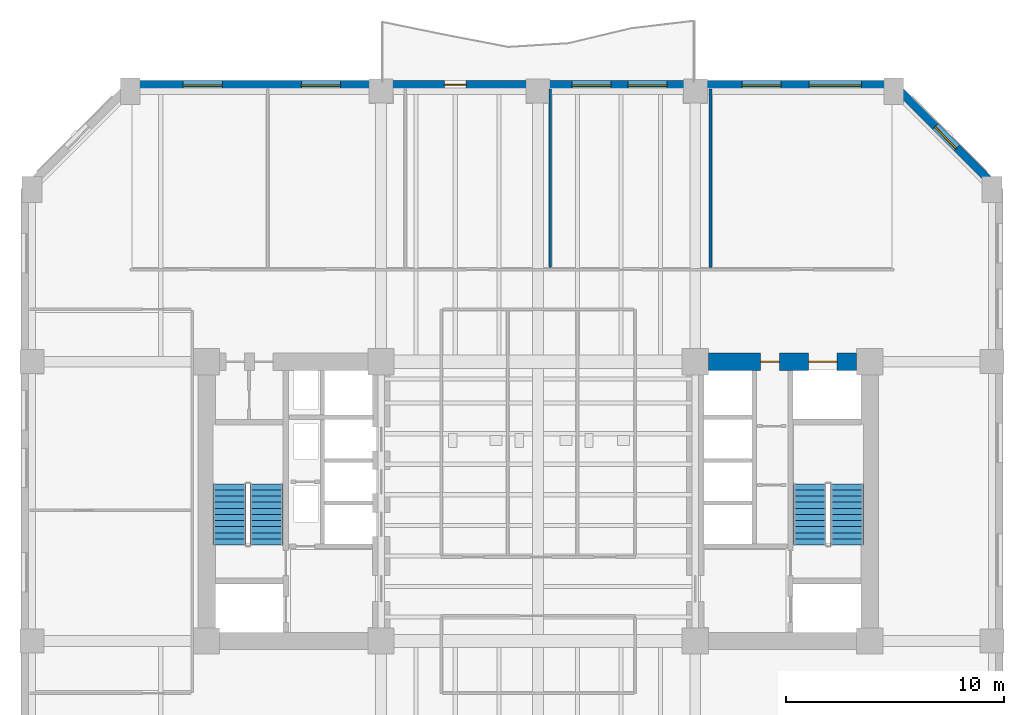
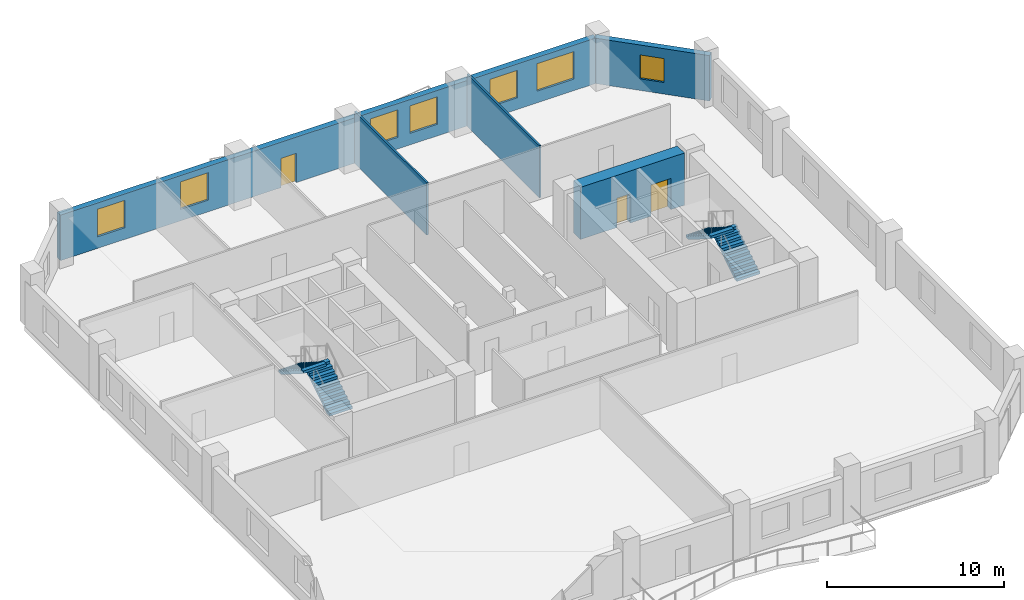
# One storey, part 5 of 10: 7 windows, 5 walls, 4 stair flights, 3 doors, 10 openings, 2 elements without a shape of their own.
"""IFC4 building model written with IfcOpenShell, lengths in metres."""

from ifc_helpers import new_model, si_unit, direction, frame, frame_2d, origin, place, context, subcontext, project, spatial, polyline, rectangle, outline, extrude, material, layer, layer_set, type_object, element, fill, aggregate, save


model = new_model("IFC4")

# Units and contexts
model_context = context("Model", 3, precision=1e-05, world=origin(), true_north=direction((0.0, 1.0)))
body_context = subcontext(model_context, "Body", "Model", "MODEL_VIEW")
ifc_project = project(units=[si_unit("LENGTHUNIT", "METRE"), si_unit("AREAUNIT", "SQUARE_METRE"), si_unit("VOLUMEUNIT", "CUBIC_METRE"), si_unit("PLANEANGLEUNIT", "RADIAN"), si_unit("MASSUNIT", "GRAM", prefix="KILO")], contexts=[model_context])

# Site, building, storey
site_placement = place(None, origin())
site = spatial("IfcSite", under=ifc_project, at=site_placement, CompositionType="ELEMENT")
building_placement = place(site_placement, origin())
building = spatial("IfcBuilding", under=site, at=building_placement, Name="Kranthara Brick Stack", CompositionType="ELEMENT")
storey_placement = place(building_placement, frame((0.0, 0.0, 32.10009765625)))
storey = spatial("IfcBuildingStorey", under=building, at=storey_placement, Name="L07", CompositionType="ELEMENT", Elevation=32.10009765625)

# Wall, openings, door, windows
ifc_material_1 = material(Name="Kiln-fired clay brick masonry M15", Category="masonry")
ifc_layer_1 = layer(ifc_material_1, 0.3798828125)
ifc_layer_set_1 = layer_set([ifc_layer_1], Name="Kiln-fired clay brick masonry M15")
wall_type_1 = type_object("IfcWallType", Name="WL-BRK-PIER-380", PredefinedType="STANDARD", material=ifc_layer_set_1)
wall_1_placement = place(storey_placement, frame((9.300048828125, 46.2900390625, 0.0), z_axis=(0.0, 0.0, 1.0), x_axis=(1.0, 0.0, 0.0)))
wall_1 = element("IfcWall", 1, at=wall_1_placement, inside=storey, type_object=wall_type_1, Name="L07 Exterior Brick Facade Wall NORTH 1", PredefinedType="STANDARD", context=body_context, shape_type="SweptSolid", body=[
    extrude(rectangle(XDim=35.0, YDim=0.3798828125, at=frame_2d((17.5, 0.0))), origin(), (0.0, 0.0, 1.0), 3.135009765625),
])
opening_1_placement = place(wall_1_placement, frame((14.39990234375, 0.0, 0.0)))
opening_1 = element("IfcOpeningElement", 2, at=opening_1_placement, cuts=wall_1, Name="Opening D03", PredefinedType="OPENING", context=body_context, shape_type="SweptSolid", body=[
    extrude(rectangle(XDim=1.0, YDim=2.02001953125, at=frame_2d((0.5, 1.010009765625))), frame((0.0, 0.199951171875, 0.0), z_axis=(0.0, -1.0, 0.0), x_axis=(1.0, 0.0, 0.0)), (0.0, 0.0, 1.0), 0.39990234375),
])
opening_2_placement = place(wall_1_placement, frame((2.425048828125, 0.0, 0.800048828125)))
opening_2 = element("IfcOpeningElement", 3, at=opening_2_placement, cuts=wall_1, Name="Opening WN01", PredefinedType="OPENING", context=body_context, shape_type="SweptSolid", body=[
    extrude(rectangle(XDim=1.800048828125, YDim=1.89990234375, at=frame_2d((0.89990234375, 0.949951171875))), frame((0.0, 0.199951171875, 0.0), z_axis=(0.0, -1.0, 0.0), x_axis=(1.0, 0.0, 0.0)), (0.0, 0.0, 1.0), 0.39990234375),
])
opening_3_placement = place(wall_1_placement, frame((7.85009765625, 0.0, 0.800048828125)))
opening_3 = element("IfcOpeningElement", 4, at=opening_3_placement, cuts=wall_1, Name="Opening WN01", PredefinedType="OPENING", context=body_context, shape_type="SweptSolid", body=[
    extrude(rectangle(XDim=1.800048828125, YDim=1.89990234375, at=frame_2d((0.89990234375, 0.949951171875))), frame((0.0, 0.199951171875, 0.0), z_axis=(0.0, -1.0, 0.0), x_axis=(1.0, 0.0, 0.0)), (0.0, 0.0, 1.0), 0.39990234375),
])
opening_4_placement = place(wall_1_placement, frame((20.240966796875, 0.0, 0.800048828125)))
opening_4 = element("IfcOpeningElement", 5, at=opening_4_placement, cuts=wall_1, Name="Opening WN01", PredefinedType="OPENING", context=body_context, shape_type="SweptSolid", body=[
    extrude(rectangle(XDim=1.800048828125, YDim=1.89990234375, at=frame_2d((0.89990234375, 0.949951171875))), frame((0.0, 0.199951171875, 0.0), z_axis=(0.0, -1.0, 0.0), x_axis=(1.0, 0.0, 0.0)), (0.0, 0.0, 1.0), 0.39990234375),
])
opening_5_placement = place(wall_1_placement, frame((22.80908203125, 0.0, 0.800048828125)))
opening_5 = element("IfcOpeningElement", 6, at=opening_5_placement, cuts=wall_1, Name="Opening WN01", PredefinedType="OPENING", context=body_context, shape_type="SweptSolid", body=[
    extrude(rectangle(XDim=1.800048828125, YDim=1.89990234375, at=frame_2d((0.89990234375, 0.949951171875))), frame((0.0, 0.199951171875, 0.0), z_axis=(0.0, -1.0, 0.0), x_axis=(1.0, 0.0, 0.0)), (0.0, 0.0, 1.0), 0.39990234375),
])
opening_6_placement = place(wall_1_placement, frame((28.032958984375, 0.0, 0.800048828125)))
opening_6 = element("IfcOpeningElement", 7, at=opening_6_placement, cuts=wall_1, Name="Opening WN01", PredefinedType="OPENING", context=body_context, shape_type="SweptSolid", body=[
    extrude(rectangle(XDim=1.800048828125, YDim=1.89990234375, at=frame_2d((0.89990234375, 0.949951171875))), frame((0.0, 0.199951171875, 0.0), z_axis=(0.0, -1.0, 0.0), x_axis=(1.0, 0.0, 0.0)), (0.0, 0.0, 1.0), 0.39990234375),
])
opening_7_placement = place(wall_1_placement, frame((31.116943359375, 0.0, 0.800048828125)))
opening_7 = element("IfcOpeningElement", 8, at=opening_7_placement, cuts=wall_1, Name="Opening WN02", PredefinedType="OPENING", context=body_context, shape_type="SweptSolid", body=[
    extrude(rectangle(XDim=2.39990234375, YDim=1.89990234375, at=frame_2d((1.199951171875, 0.949951171875))), frame((0.0, 0.199951171875, 0.0), z_axis=(0.0, -1.0, 0.0), x_axis=(1.0, 0.0, 0.0)), (0.0, 0.0, 1.0), 0.39990234375),
])
ifc_material_2 = material(Name="Bronze anodised aluminium and laminated glass", Category="aluminium")
door_type_1 = type_object("IfcDoorType", Name="DR-BALC-1000", OperationType="NOTDEFINED", PredefinedType="DOOR", material=ifc_material_2)
door_1_placement = place(opening_1_placement, origin())
door_1 = element("IfcDoor", 9, at=door_1_placement, inside=storey, type_object=door_type_1, Name="L07 North Balcony Terrace Door", OperationType="SINGLE_SWING_RIGHT", OverallHeight=2.02001953125, OverallWidth=1.0, PredefinedType="DOOR", context=body_context, shape_type="SweptSolid", body=[
    extrude(rectangle(XDim=1.0, YDim=2.02001953125, at=frame_2d((0.5, 1.010009765625))), frame((0.0, 0.02490234375, 0.0), z_axis=(0.0, -1.0, 0.0), x_axis=(1.0, 0.0, 0.0)), (0.0, 0.0, 1.0), 0.050048828125),
])
fill(opening_1, door_1)
ifc_material_3 = material(Name="Double-glazed low-E solar control glass", Category="glass")
window_type_1 = type_object("IfcWindowType", Name="WN-OFF-1800x2000", PartitioningType="SINGLE_PANEL", PredefinedType="WINDOW", material=ifc_material_3)
window_1_placement = place(opening_2_placement, origin())
window_1 = element("IfcWindow", 10, at=window_1_placement, inside=storey, type_object=window_type_1, Name="L07 North Deep-Set Brick Window 01", OverallHeight=1.89990234375, OverallWidth=1.800048828125, PartitioningType="SINGLE_PANEL", PredefinedType="WINDOW", context=body_context, shape_type="SweptSolid", body=[
    extrude(rectangle(XDim=1.800048828125, YDim=1.89990234375, at=frame_2d((0.89990234375, 0.949951171875))), frame((0.0, -0.010009765625, 0.0), z_axis=(0.0, -1.0, 0.0), x_axis=(1.0, 0.0, 0.0)), (0.0, 0.0, 1.0), 0.06005859375),
])
fill(opening_2, window_1)
window_2_placement = place(opening_3_placement, origin())
window_2 = element("IfcWindow", 11, at=window_2_placement, inside=storey, type_object=window_type_1, Name="L07 North Deep-Set Brick Window 02", OverallHeight=1.89990234375, OverallWidth=1.800048828125, PartitioningType="SINGLE_PANEL", PredefinedType="WINDOW", context=body_context, shape_type="SweptSolid", body=[
    extrude(rectangle(XDim=1.800048828125, YDim=1.89990234375, at=frame_2d((0.89990234375, 0.949951171875))), frame((0.0, -0.010009765625, 0.0), z_axis=(0.0, -1.0, 0.0), x_axis=(1.0, 0.0, 0.0)), (0.0, 0.0, 1.0), 0.06005859375),
])
fill(opening_3, window_2)
window_3_placement = place(opening_4_placement, origin())
window_3 = element("IfcWindow", 12, at=window_3_placement, inside=storey, type_object=window_type_1, Name="L07 North Deep-Set Brick Window 03", OverallHeight=1.89990234375, OverallWidth=1.800048828125, PartitioningType="SINGLE_PANEL", PredefinedType="WINDOW", context=body_context, shape_type="SweptSolid", body=[
    extrude(rectangle(XDim=1.800048828125, YDim=1.89990234375, at=frame_2d((0.89990234375, 0.949951171875))), frame((0.0, -0.010009765625, 0.0), z_axis=(0.0, -1.0, 0.0), x_axis=(1.0, 0.0, 0.0)), (0.0, 0.0, 1.0), 0.06005859375),
])
fill(opening_4, window_3)
window_4_placement = place(opening_5_placement, origin())
window_4 = element("IfcWindow", 13, at=window_4_placement, inside=storey, type_object=window_type_1, Name="L07 North Deep-Set Brick Window 04", OverallHeight=1.89990234375, OverallWidth=1.800048828125, PartitioningType="SINGLE_PANEL", PredefinedType="WINDOW", context=body_context, shape_type="SweptSolid", body=[
    extrude(rectangle(XDim=1.800048828125, YDim=1.89990234375, at=frame_2d((0.89990234375, 0.949951171875))), frame((0.0, -0.010009765625, 0.0), z_axis=(0.0, -1.0, 0.0), x_axis=(1.0, 0.0, 0.0)), (0.0, 0.0, 1.0), 0.06005859375),
])
fill(opening_5, window_4)
window_5_placement = place(opening_6_placement, origin())
window_5 = element("IfcWindow", 14, at=window_5_placement, inside=storey, type_object=window_type_1, Name="L07 North Deep-Set Brick Window 05", OverallHeight=1.89990234375, OverallWidth=1.800048828125, PartitioningType="SINGLE_PANEL", PredefinedType="WINDOW", context=body_context, shape_type="SweptSolid", body=[
    extrude(rectangle(XDim=1.800048828125, YDim=1.89990234375, at=frame_2d((0.89990234375, 0.949951171875))), frame((0.0, -0.010009765625, 0.0), z_axis=(0.0, -1.0, 0.0), x_axis=(1.0, 0.0, 0.0)), (0.0, 0.0, 1.0), 0.06005859375),
])
fill(opening_6, window_5)
ifc_material_4 = material(Name="Double-glazed low-E solar control glass", Category="glass")
window_type_2 = type_object("IfcWindowType", Name="WN-OFF-2400x2000", PartitioningType="DOUBLE_PANEL_VERTICAL", PredefinedType="WINDOW", material=ifc_material_4)
window_6_placement = place(opening_7_placement, origin())
window_6 = element("IfcWindow", 15, at=window_6_placement, inside=storey, type_object=window_type_2, Name="L07 North Deep-Set Brick Window 06", OverallHeight=1.89990234375, OverallWidth=2.39990234375, PartitioningType="SINGLE_PANEL", PredefinedType="WINDOW", context=body_context, shape_type="SweptSolid", body=[
    extrude(rectangle(XDim=2.39990234375, YDim=1.89990234375, at=frame_2d((1.199951171875, 0.949951171875))), frame((0.0, -0.010009765625, 0.0), z_axis=(0.0, -1.0, 0.0), x_axis=(1.0, 0.0, 0.0)), (0.0, 0.0, 1.0), 0.06005859375),
])
fill(opening_7, window_6)

# Wall, opening, window
wall_2_placement = place(storey_placement, frame((44.300048828125, 46.2900390625, 0.0), z_axis=(0.0, 0.0, 1.0), x_axis=(0.707106781187, -0.707106781187, 0.0)))
wall_2 = element("IfcWall", 16, at=wall_2_placement, inside=storey, type_object=wall_type_1, Name="L07 Exterior Brick Facade Wall NE 1", PredefinedType="STANDARD", context=body_context, shape_type="SweptSolid", body=[
    extrude(rectangle(XDim=6.774169921875, YDim=0.3798828125, at=frame_2d((3.38720703125, 0.0))), origin(), (0.0, 0.0, 1.0), 3.135009765625),
])
opening_8_placement = place(wall_2_placement, frame((2.68701171875, 0.0, 0.800048828125)))
opening_8 = element("IfcOpeningElement", 17, at=opening_8_placement, cuts=wall_2, Name="Opening WN10", PredefinedType="OPENING", context=body_context, shape_type="SweptSolid", body=[
    extrude(rectangle(XDim=1.39990234375, YDim=1.64990234375, at=frame_2d((0.699951171875, 0.824951171875))), frame((0.0, 0.199951171875, 0.0), z_axis=(0.0, -1.0, 0.0), x_axis=(1.0, 0.0, 0.0)), (0.0, 0.0, 1.0), 0.39990234375),
])
ifc_material_5 = material(Name="Double-glazed low-E solar control glass", Category="glass")
window_type_3 = type_object("IfcWindowType", Name="WN-CHM-1400x1750", PartitioningType="SINGLE_PANEL", PredefinedType="WINDOW", material=ifc_material_5)
window_7_placement = place(opening_8_placement, origin())
window_7 = element("IfcWindow", 18, at=window_7_placement, inside=storey, type_object=window_type_3, Name="L07 NE Chamfer Corner Window", OverallHeight=1.64990234375, OverallWidth=1.39990234375, PartitioningType="SINGLE_PANEL", PredefinedType="WINDOW", context=body_context, shape_type="SweptSolid", body=[
    extrude(rectangle(XDim=1.39990234375, YDim=1.64990234375, at=frame_2d((0.699951171875, 0.824951171875))), frame((0.0, -0.010009765625, 0.0), z_axis=(0.0, -1.0, 0.0), x_axis=(1.0, 0.0, 0.0)), (0.0, 0.0, 1.0), 0.06005859375),
])
fill(opening_8, window_7)

# Wall, openings, doors
ifc_material_6 = material(Name="Concrete C70/85", Category="concrete")
ifc_layer_2 = layer(ifc_material_6, 0.800048828125)
ifc_layer_set_2 = layer_set([ifc_layer_2], Name="Concrete C70/85")
wall_type_2 = type_object("IfcWallType", Name="WL-CORE-800", PredefinedType="SHEAR", material=ifc_layer_set_2)
wall_3_placement = place(storey_placement, frame((35.804931640625, 33.60009765625, 0.0), z_axis=(0.0, 0.0, 1.0), x_axis=(1.0, 0.0, 0.0)))
wall_3 = element("IfcWall", 19, at=wall_3_placement, inside=storey, type_object=wall_type_2, Name="L07 East Core Shear Wall North", PredefinedType="SHEAR", context=body_context, shape_type="SweptSolid", body=[
    extrude(rectangle(XDim=6.7900390625, YDim=0.800048828125, at=frame_2d((3.39501953125, 0.0))), origin(), (0.0, 0.0, 1.0), 3.599853515625),
])
opening_9_placement = place(wall_3_placement, frame((4.594970703125, 0.0, 0.0)))
opening_9 = element("IfcOpeningElement", 20, at=opening_9_placement, cuts=wall_3, Name="Opening LD03", PredefinedType="OPENING", context=body_context, shape_type="SweptSolid", body=[
    extrude(rectangle(XDim=1.300048828125, YDim=2.14990234375, at=frame_2d((0.64990234375, 1.074951171875))), frame((0.0, 0.409912109375, 0.0), z_axis=(0.0, -1.0, 0.0), x_axis=(1.0, 0.0, 0.0)), (0.0, 0.0, 1.0), 0.820068359375),
])
opening_10_placement = place(wall_3_placement, frame((2.39501953125, 0.0, 0.0)))
opening_10 = element("IfcOpeningElement", 21, at=opening_10_placement, cuts=wall_3, Name="Opening D10", PredefinedType="OPENING", context=body_context, shape_type="SweptSolid", body=[
    extrude(rectangle(XDim=0.85009765625, YDim=2.02001953125, at=frame_2d((0.425048828125, 1.010009765625))), frame((0.0, 0.409912109375, 0.0), z_axis=(0.0, -1.0, 0.0), x_axis=(1.0, 0.0, 0.0)), (0.0, 0.0, 1.0), 0.820068359375),
])
ifc_material_7 = material(Name="Stainless steel sliding landing door", Category="steel")
door_type_2 = type_object("IfcDoorType", Name="DR-LD-SV1300", OperationType="DOUBLE_DOOR_SLIDING", PredefinedType="DOOR", material=ifc_material_7)
door_2_placement = place(opening_9_placement, origin())
door_2 = element("IfcDoor", 22, at=door_2_placement, inside=storey, type_object=door_type_2, Name="L07 Stretcher Service Lift SV-01 Landing Door", OperationType="DOUBLE_DOOR_SLIDING", OverallHeight=2.14990234375, OverallWidth=1.300048828125, PredefinedType="DOOR", context=body_context, shape_type="SweptSolid", body=[
    extrude(rectangle(XDim=1.300048828125, YDim=2.14990234375, at=frame_2d((0.64990234375, 1.074951171875))), frame((0.0, 0.02490234375, 0.0), z_axis=(0.0, -1.0, 0.0), x_axis=(1.0, 0.0, 0.0)), (0.0, 0.0, 1.0), 0.050048828125),
])
fill(opening_9, door_2)
ifc_material_8 = material(Name="Solid-core hardwood timber leaf in steel frame", Category="steel")
door_type_3 = type_object("IfcDoorType", Name="DR-RSR-850", OperationType="NOTDEFINED", PredefinedType="DOOR", material=ifc_material_8)
door_3_placement = place(opening_10_placement, origin())
door_3 = element("IfcDoor", 23, at=door_3_placement, inside=storey, type_object=door_type_3, Name="L07 East Core Service Room Door", OperationType="SINGLE_SWING_LEFT", OverallHeight=2.02001953125, OverallWidth=0.85009765625, PredefinedType="DOOR", context=body_context, shape_type="SweptSolid", body=[
    extrude(rectangle(XDim=0.85009765625, YDim=2.02001953125, at=frame_2d((0.425048828125, 1.010009765625))), frame((0.0, 0.02490234375, 0.0), z_axis=(0.0, -1.0, 0.0), x_axis=(1.0, 0.0, 0.0)), (0.0, 0.0, 1.0), 0.050048828125),
])
fill(opening_10, door_3)

# Walls
ifc_material_9 = material(Name="Acoustic gypsum plasterboard partition", Category="other")
ifc_layer_3 = layer(ifc_material_9, 0.1201171875)
ifc_layer_set_3 = layer_set([ifc_layer_3], Name="Acoustic gypsum plasterboard partition")
wall_type_3 = type_object("IfcWallType", Name="WL-PART-120", PredefinedType="PARTITIONING", material=ifc_layer_set_3)
for number, where, z_axis, x_axis, name in (
    (24, (28.550048828125, 37.919921875, 0.0), (0.0, 0.0, 1.0), (0.0, 1.0, 0.0), "L07 Interior Partition 020"),
    (25, (35.89990234375, 37.919921875, 0.0), (0.0, 0.0, 1.0), (0.0, 1.0, 0.0), "L07 Interior Partition 021"),
):
    element("IfcWall", number, at=place(storey_placement, frame(where, z_axis=z_axis, x_axis=x_axis)), inside=storey, type_object=wall_type_3, Name=name, PredefinedType="PARTITIONING", context=body_context, shape_type="SweptSolid", body=[
        extrude(rectangle(XDim=8.175048828125, YDim=0.1201171875, at=frame_2d((4.08740234375, 0.0))), origin(), (0.0, 0.0, 1.0), 3.599853515625),
    ])

# Stair, stair flights
ifc_material_10 = material(Name="Concrete C45/55", Category="concrete")
stair_type = type_object("IfcStairType", Name="ST-CORE-22R", PredefinedType="HALF_TURN_STAIR", material=ifc_material_10)
stair_1_placement = place(storey_placement, origin())
stair_1 = element("IfcStair", 26, at=stair_1_placement, inside=storey, type_object=stair_type, Name="L07 West Core Protected Exit Stair ST01", PredefinedType="HALF_TURN_STAIR")
ifc_material_11 = material(Name="Concrete C45/55", Category="concrete")
stair_flight_type = type_object("IfcStairFlightType", Name="SFL-RC-22R", PredefinedType="STRAIGHT", material=ifc_material_11)
stair_flight_1_placement = place(storey_placement, frame((15.550048828125, 25.199951171875, 0.0), z_axis=(0.0, 0.0, 1.0), x_axis=(0.0, 1.0, 0.0)))
stair_flight_1 = element("IfcStairFlight", 27, at=stair_flight_1_placement, type_object=stair_flight_type, Name="ST01 flight 1", NumberOfRisers=11, NumberOfTreads=10, PredefinedType="STRAIGHT", RiserHeight=0.177272727, TreadLength=0.28, context=body_context, shape_type="SweptSolid", body=[
    extrude(outline(polyline([(0.0, 0.0), (0.0, 0.17724609375), (0.280029296875, 0.17724609375), (0.280029296875, 0.3544921875), (0.56005859375, 0.3544921875), (0.56005859375, 0.53173828125), (0.840087890625, 0.53173828125), (0.840087890625, 0.708984375), (1.1201171875, 0.708984375), (1.1201171875, 0.886474609375), (1.39990234375, 0.886474609375), (1.39990234375, 1.063720703125), (1.679931640625, 1.063720703125), (1.679931640625, 1.240966796875), (1.9599609375, 1.240966796875), (1.9599609375, 1.418212890625), (2.239990234375, 1.418212890625), (2.239990234375, 1.595458984375), (2.52001953125, 1.595458984375), (2.52001953125, 1.772705078125), (2.800048828125, 1.772705078125), (2.800048828125, 1.949951171875), (2.800048828125, 1.59521484375), (0.2802734375, 0.0), (0.0, 0.0)])), frame((0.0, 0.75, 0.0), z_axis=(0.0, -1.0, 0.0), x_axis=(1.0, 0.0, 0.0)), (0.0, 0.0, 1.0), 1.5),
])
stair_flight_2_placement = place(storey_placement, frame((13.85009765625, 28.0, 1.949951171875), z_axis=(0.0, 0.0, 1.0), x_axis=(0.0, -1.0, 0.0)))
stair_flight_2 = element("IfcStairFlight", 28, at=stair_flight_2_placement, type_object=stair_flight_type, Name="ST01 flight 2", NumberOfRisers=11, NumberOfTreads=10, PredefinedType="STRAIGHT", RiserHeight=0.177272727, TreadLength=0.28, context=body_context, shape_type="SweptSolid", body=[
    extrude(outline(polyline([(0.0, 0.0), (0.0, 0.17724609375), (0.280029296875, 0.17724609375), (0.280029296875, 0.3544921875), (0.56005859375, 0.3544921875), (0.56005859375, 0.53173828125), (0.840087890625, 0.53173828125), (0.840087890625, 0.708984375), (1.1201171875, 0.708984375), (1.1201171875, 0.886474609375), (1.39990234375, 0.886474609375), (1.39990234375, 1.063720703125), (1.679931640625, 1.063720703125), (1.679931640625, 1.240966796875), (1.9599609375, 1.240966796875), (1.9599609375, 1.418212890625), (2.239990234375, 1.418212890625), (2.239990234375, 1.595458984375), (2.52001953125, 1.595458984375), (2.52001953125, 1.772705078125), (2.800048828125, 1.772705078125), (2.800048828125, 1.949951171875), (2.800048828125, 1.59521484375), (0.2802734375, 0.0), (0.0, 0.0)])), frame((0.0, 0.75, 0.0), z_axis=(0.0, -1.0, 0.0), x_axis=(1.0, 0.0, 0.0)), (0.0, 0.0, 1.0), 1.5),
])
aggregate(stair_1, [stair_flight_1, stair_flight_2])

stair_2_placement = place(storey_placement, origin())
stair_2 = element("IfcStair", 29, at=stair_2_placement, inside=storey, type_object=stair_type, Name="L07 East Core Protected Exit Stair ST02", PredefinedType="HALF_TURN_STAIR")
stair_flight_3_placement = place(storey_placement, frame((42.14990234375, 25.199951171875, 0.0), z_axis=(0.0, 0.0, 1.0), x_axis=(0.0, 1.0, 0.0)))
stair_flight_3 = element("IfcStairFlight", 30, at=stair_flight_3_placement, type_object=stair_flight_type, Name="ST02 flight 1", NumberOfRisers=11, NumberOfTreads=10, PredefinedType="STRAIGHT", RiserHeight=0.177272727, TreadLength=0.28, context=body_context, shape_type="SweptSolid", body=[
    extrude(outline(polyline([(0.0, 0.0), (0.0, 0.17724609375), (0.280029296875, 0.17724609375), (0.280029296875, 0.3544921875), (0.56005859375, 0.3544921875), (0.56005859375, 0.53173828125), (0.840087890625, 0.53173828125), (0.840087890625, 0.708984375), (1.1201171875, 0.708984375), (1.1201171875, 0.886474609375), (1.39990234375, 0.886474609375), (1.39990234375, 1.063720703125), (1.679931640625, 1.063720703125), (1.679931640625, 1.240966796875), (1.9599609375, 1.240966796875), (1.9599609375, 1.418212890625), (2.239990234375, 1.418212890625), (2.239990234375, 1.595458984375), (2.52001953125, 1.595458984375), (2.52001953125, 1.772705078125), (2.800048828125, 1.772705078125), (2.800048828125, 1.949951171875), (2.800048828125, 1.59521484375), (0.2802734375, 0.0), (0.0, 0.0)])), frame((0.0, 0.75, 0.0), z_axis=(0.0, -1.0, 0.0), x_axis=(1.0, 0.0, 0.0)), (0.0, 0.0, 1.0), 1.5),
])
stair_flight_4_placement = place(storey_placement, frame((40.449951171875, 28.0, 1.949951171875), z_axis=(0.0, 0.0, 1.0), x_axis=(0.0, -1.0, 0.0)))
stair_flight_4 = element("IfcStairFlight", 31, at=stair_flight_4_placement, type_object=stair_flight_type, Name="ST02 flight 2", NumberOfRisers=11, NumberOfTreads=10, PredefinedType="STRAIGHT", RiserHeight=0.177272727, TreadLength=0.28, context=body_context, shape_type="SweptSolid", body=[
    extrude(outline(polyline([(0.0, 0.0), (0.0, 0.17724609375), (0.280029296875, 0.17724609375), (0.280029296875, 0.3544921875), (0.56005859375, 0.3544921875), (0.56005859375, 0.53173828125), (0.840087890625, 0.53173828125), (0.840087890625, 0.708984375), (1.1201171875, 0.708984375), (1.1201171875, 0.886474609375), (1.39990234375, 0.886474609375), (1.39990234375, 1.063720703125), (1.679931640625, 1.063720703125), (1.679931640625, 1.240966796875), (1.9599609375, 1.240966796875), (1.9599609375, 1.418212890625), (2.239990234375, 1.418212890625), (2.239990234375, 1.595458984375), (2.52001953125, 1.595458984375), (2.52001953125, 1.772705078125), (2.800048828125, 1.772705078125), (2.800048828125, 1.949951171875), (2.800048828125, 1.59521484375), (0.2802734375, 0.0), (0.0, 0.0)])), frame((0.0, 0.75, 0.0), z_axis=(0.0, -1.0, 0.0), x_axis=(1.0, 0.0, 0.0)), (0.0, 0.0, 1.0), 1.5),
])
aggregate(stair_2, [stair_flight_3, stair_flight_4])

save(model, "model.ifc")
